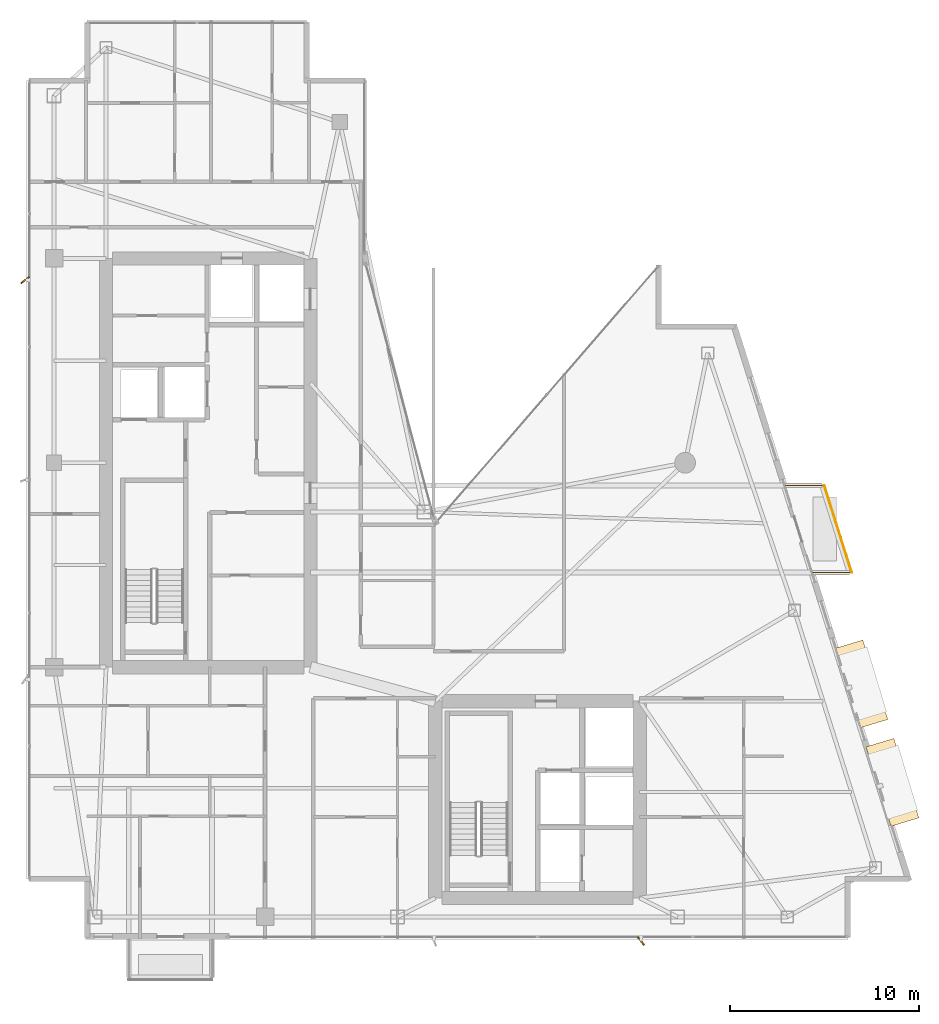
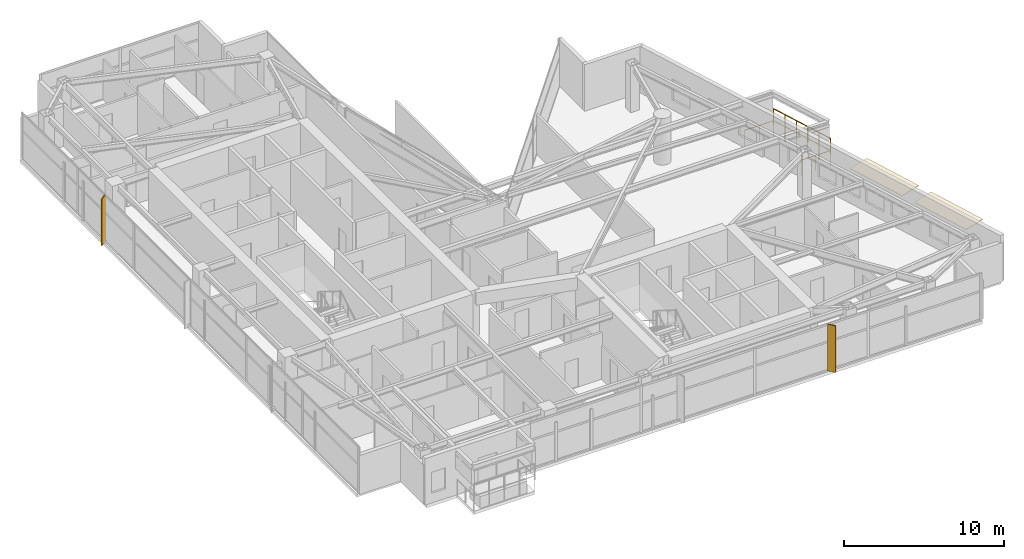
# One storey, part 29 of 29: 2 coverings, 2 railings, 2 shading devices.
"""IFC4 building model written with IfcOpenShell, lengths in metres."""

from ifc_helpers import new_model, si_unit, direction, frame, origin, origin_2d, place, context, subcontext, project, spatial, polyline, rectangle, circle, outline, extrude, material, layer, layer_set, type_object, element, save


model = new_model("IFC4")

# Units and contexts
model_context = context("Model", 3, precision=1e-05, world=origin(), true_north=direction((0.0, 1.0)))
body_context = subcontext(model_context, "Body", "Model", "MODEL_VIEW")
ifc_project = project(units=[si_unit("LENGTHUNIT", "METRE"), si_unit("AREAUNIT", "SQUARE_METRE"), si_unit("VOLUMEUNIT", "CUBIC_METRE"), si_unit("PLANEANGLEUNIT", "RADIAN"), si_unit("MASSUNIT", "GRAM", prefix="KILO")], contexts=[model_context])

# Site, building, storey
site_placement = place(None, origin())
site = spatial("IfcSite", under=ifc_project, at=site_placement, CompositionType="ELEMENT")
building_placement = place(site_placement, origin())
building = spatial("IfcBuilding", under=site, at=building_placement, Name="Calvorn Quay Hotel", CompositionType="ELEMENT")
storey_placement = place(building_placement, frame((0.0, 0.0, 255.199951171875)))
storey = spatial("IfcBuildingStorey", under=building, at=storey_placement, Name="L63", CompositionType="ELEMENT", Elevation=255.199951171875)

# Coverings
ifc_material_1 = material(Name="Pale Anodised Aluminium Rainscreen Cladding", Category="aluminium")
ifc_layer = layer(ifc_material_1, 0.044921875)
ifc_layer_set = layer_set([ifc_layer], Name="COV-CROWN-CLAD")
covering_type = type_object("IfcCoveringType", Name="COV-CROWN-CLAD", PredefinedType="CLADDING", material=ifc_layer_set)
covering_1_placement = place(storey_placement, frame((0.0, 0.0, 2.505126953125)))
element("IfcCovering", 1, at=covering_1_placement, inside=storey, type_object=covering_type, Name="Angled Bay Hood Canopy L63-HOOD-1", PredefinedType="CLADDING", context=body_context, shape_type="SweptSolid", body=[
    extrude(outline(polyline([(44.35693359375, 12.587890625), (45.8310546875, 13.034912109375), (47.154052734375, 8.8349609375), (45.679931640625, 8.387939453125), (44.35693359375, 12.587890625)])), origin(), (0.0, 0.0, 1.0), 0.044921875),
])
covering_2_placement = place(storey_placement, frame((0.0, 0.0, 2.505126953125)))
element("IfcCovering", 2, at=covering_2_placement, inside=storey, type_object=covering_type, Name="Angled Bay Hood Canopy L63-HOOD-2", PredefinedType="CLADDING", context=body_context, shape_type="SweptSolid", body=[
    extrude(outline(polyline([(42.718017578125, 17.7880859375), (44.19091796875, 18.235107421875), (45.513916015625, 14.034912109375), (44.041015625, 13.587890625), (42.718017578125, 17.7880859375)])), origin(), (0.0, 0.0, 1.0), 0.044921875),
])

# Railings
ifc_material_2 = material(Name="Pale Anodised Aluminium and Laminated Glass", Category="aluminium")
railing_type = type_object("IfcRailingType", Name="RLG-BALUSTRADE-1200", PredefinedType="BALUSTRADE", material=ifc_material_2)
railing_1_placement = place(storey_placement, frame((41.506103515625, 21.800048828125, 0.0)))
element("IfcRailing", 3, at=railing_1_placement, inside=storey, type_object=railing_type, Name="Tree Balcony Perimeter Balustrade L63-BALC-E", PredefinedType="BALUSTRADE", context=body_context, shape_type="SweptSolid", body=[
    extrude(circle(Radius=0.02392578125, at=origin_2d()), frame((0.0, 0.0, 1.17578125), z_axis=(1.0, 0.0, 0.0), x_axis=(0.0, 1.0, 0.0)), (0.0, 0.0, 1.0), 2.099853515625),
    extrude(circle(Radius=0.02392578125, at=origin_2d()), frame((2.099853515625, 0.0, 1.17578125), z_axis=(-0.300450487966, 0.953797412599, 0.0), x_axis=(-0.953797412599, -0.300450487966, 0.0)), (0.0, 0.0, 1.0), 4.82275390625),
    extrude(circle(Radius=0.02392578125, at=origin_2d()), frame((0.65087890625, 4.599853515625, 1.17578125), z_axis=(-1.0, 0.0, 0.0), x_axis=(0.0, -1.0, 0.0)), (0.0, 0.0, 1.0), 2.10009765625),
    extrude(circle(Radius=0.02099609375, at=origin_2d()), origin(), (0.0, 0.0, 1.0), 1.15185546875),
    extrude(circle(Radius=0.02099609375, at=origin_2d()), frame((1.0498046875, 0.0, 0.0)), (0.0, 0.0, 1.0), 1.15185546875),
    extrude(circle(Radius=0.02099609375, at=origin_2d()), frame((2.099853515625, 0.0, 0.0)), (0.0, 0.0, 1.0), 1.15185546875),
    extrude(circle(Radius=0.02099609375, at=origin_2d()), frame((1.81005859375, 0.919921875, 0.0)), (0.0, 0.0, 1.0), 1.15185546875),
    extrude(circle(Radius=0.02099609375, at=origin_2d()), frame((1.520263671875, 1.83984375, 0.0)), (0.0, 0.0, 1.0), 1.15185546875),
    extrude(circle(Radius=0.02099609375, at=origin_2d()), frame((1.23046875, 2.760009765625, 0.0)), (0.0, 0.0, 1.0), 1.15185546875),
    extrude(circle(Radius=0.02099609375, at=origin_2d()), frame((0.940673828125, 3.679931640625, 0.0)), (0.0, 0.0, 1.0), 1.15185546875),
    extrude(circle(Radius=0.02099609375, at=origin_2d()), frame((0.65087890625, 4.599853515625, 0.0)), (0.0, 0.0, 1.0), 1.15185546875),
    extrude(circle(Radius=0.02099609375, at=origin_2d()), frame((-0.399169921875, 4.599853515625, 0.0)), (0.0, 0.0, 1.0), 1.15185546875),
    extrude(circle(Radius=0.02099609375, at=origin_2d()), frame((-1.44921875, 4.599853515625, 0.0)), (0.0, 0.0, 1.0), 1.15185546875),
])
railing_2_placement = place(storey_placement, frame((43.60595703125, 21.800048828125, 0.900146484375)))
element("IfcRailing", 4, at=railing_2_placement, inside=storey, type_object=railing_type, Name="Planter Kerb High Safety Screen L63-BALC-E", PredefinedType="BALUSTRADE", context=body_context, shape_type="SweptSolid", body=[
    extrude(circle(Radius=0.02392578125, at=origin_2d()), frame((0.0, 0.0, 1.19580078125), z_axis=(-0.300450487966, 0.953797412599, 0.0), x_axis=(-0.953797412599, -0.300450487966, 0.0)), (0.0, 0.0, 1.0), 4.82275390625),
    extrude(circle(Radius=0.02099609375, at=origin_2d()), origin(), (0.0, 0.0, 1.0), 1.171875),
    extrude(circle(Radius=0.02099609375, at=origin_2d()), frame((-0.289794921875, 0.919921875, 0.0)), (0.0, 0.0, 1.0), 1.171875),
    extrude(circle(Radius=0.02099609375, at=origin_2d()), frame((-0.57958984375, 1.83984375, 0.0)), (0.0, 0.0, 1.0), 1.171875),
    extrude(circle(Radius=0.02099609375, at=origin_2d()), frame((-0.869384765625, 2.760009765625, 0.0)), (0.0, 0.0, 1.0), 1.171875),
    extrude(circle(Radius=0.02099609375, at=origin_2d()), frame((-1.1591796875, 3.679931640625, 0.0)), (0.0, 0.0, 1.0), 1.171875),
    extrude(circle(Radius=0.02099609375, at=origin_2d()), frame((-1.448974609375, 4.599853515625, 0.0)), (0.0, 0.0, 1.0), 1.171875),
])

# Shading devices
ifc_material_3 = material(Name="Champagne Bronze Anodised Aluminium 6063-T6", Category="aluminium")
shading_device_type = type_object("IfcShadingDeviceType", Name="SHD-FIN-A2", PredefinedType="USERDEFINED", material=ifc_material_3)
for number, where, z_axis, x_axis, name in (
    (5, (-0.080078125, 37.25, 0.0), (0.0, 0.0, 1.0), (0.788010753607, 0.615661475326, 0.0), "Diagonal Sun-Shading Fin L63-W03"),
    (6, (32.467041015625, 2.320068359375, 0.0), (0.0, 0.0, 1.0), (-0.615661475326, 0.788010753607, 0.0), "Diagonal Sun-Shading Fin L63-S02"),
):
    element("IfcShadingDevice", number, at=place(storey_placement, frame(where, z_axis=z_axis, x_axis=x_axis)), inside=storey, type_object=shading_device_type, Name=name, ObjectType="FIN", PredefinedType="USERDEFINED", context=body_context, shape_type="SweptSolid", body=[
        extrude(rectangle(XDim=0.550048828125, YDim=0.080078125, at=origin_2d()), origin(), (0.0, 0.0, 1.0), 3.56005859375),
    ])

save(model, "model.ifc")
